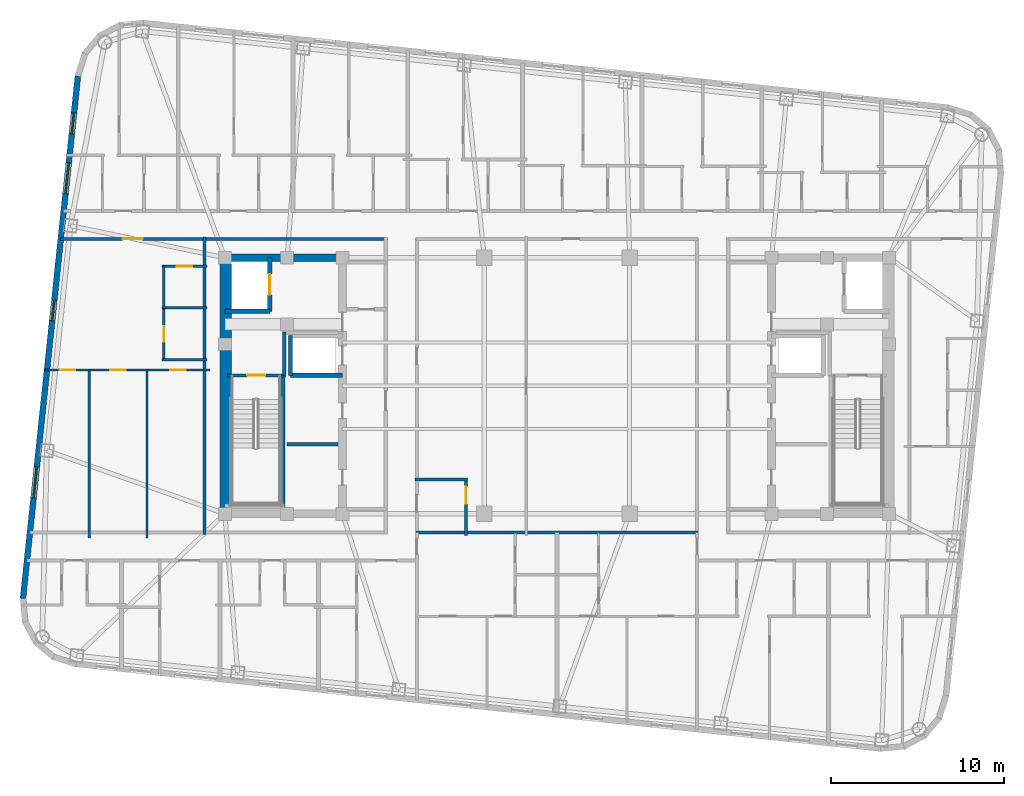
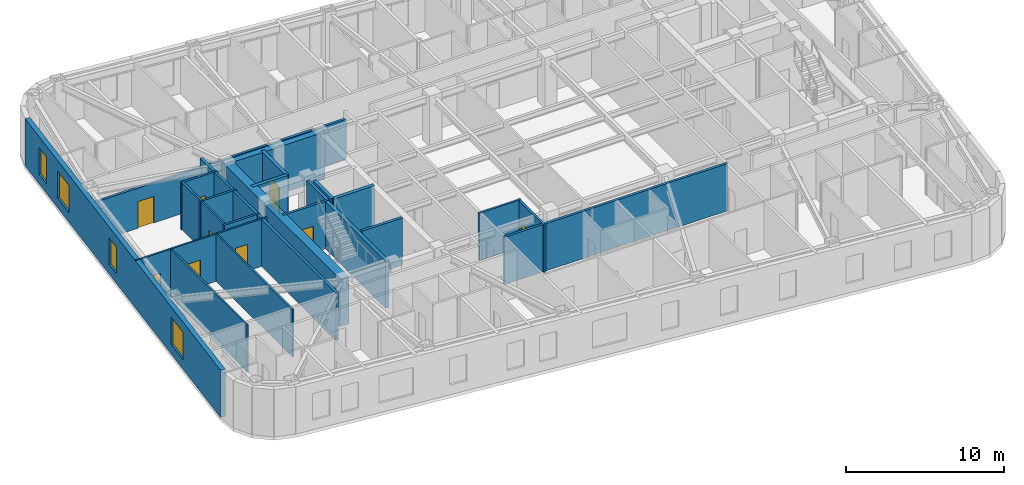
# One storey, part 4 of 11: 26 walls, 9 doors, 4 windows, 13 openings.
"""IFC4 building model written with IfcOpenShell, lengths in metres."""

from ifc_helpers import new_model, si_unit, direction, frame, frame_2d, origin, place, context, subcontext, project, spatial, rectangle, extrude, material, layer, layer_set, type_object, element, fill, save


model = new_model("IFC4")

# Units and contexts
model_context = context("Model", 3, precision=1e-05, world=origin(), true_north=direction((0.0, 1.0)))
body_context = subcontext(model_context, "Body", "Model", "MODEL_VIEW")
ifc_project = project(units=[si_unit("LENGTHUNIT", "METRE"), si_unit("AREAUNIT", "SQUARE_METRE"), si_unit("VOLUMEUNIT", "CUBIC_METRE"), si_unit("PLANEANGLEUNIT", "RADIAN"), si_unit("MASSUNIT", "GRAM", prefix="KILO")], contexts=[model_context])

# Site, building, storey
site_placement = place(None, origin())
site = spatial("IfcSite", under=ifc_project, at=site_placement, CompositionType="ELEMENT")
building_placement = place(site_placement, origin())
building = spatial("IfcBuilding", under=site, at=building_placement, Name="Voryun Gate Residences", CompositionType="ELEMENT")
storey_placement = place(building_placement, frame((0.0, 0.0, 271.699951171875)))
storey = spatial("IfcBuildingStorey", under=building, at=storey_placement, Name="L67", CompositionType="ELEMENT", Elevation=271.699951171875)

# Walls
ifc_material_1 = material(Name="Concrete C50/60", Category="concrete")
ifc_layer_1 = layer(ifc_material_1, 0.449951171875, Name="CW_CORE_450")
ifc_layer_set_1 = layer_set([ifc_layer_1], Name="Concrete C50/60")
wall_type_1 = type_object("IfcWallType", Name="CW_CORE_450", PredefinedType="SHEAR", material=ifc_layer_set_1)
wall_1_placement = place(storey_placement, frame((-19.425048828125, 7.39990234375, 0.0), z_axis=(0.0, 0.0, 1.0), x_axis=(1.0, 0.0, 0.0)))
element("IfcWall", 1, at=wall_1_placement, inside=storey, type_object=wall_type_1, Name="L67 Core shear wall CW-L67-WN", PredefinedType="SHEAR", context=body_context, shape_type="SweptSolid", body=[
    extrude(rectangle(XDim=7.25, YDim=0.449951171875, at=frame_2d((3.625, 0.0))), origin(), (0.0, 0.0, 1.0), 3.650146484375),
])
ifc_material_2 = material(Name="Concrete C60/75", Category="concrete")
ifc_layer_2 = layer(ifc_material_2, 0.64990234375, Name="CW_CORE_650")
ifc_layer_set_2 = layer_set([ifc_layer_2], Name="Concrete C60/75")
wall_type_2 = type_object("IfcWallType", Name="CW_CORE_650", PredefinedType="SHEAR", material=ifc_layer_set_2)
wall_2_placement = place(storey_placement, frame((-19.14501953125, -7.39990234375, 0.0), z_axis=(0.0, 0.0, 1.0), x_axis=(0.0, 1.0, 0.0)))
element("IfcWall", 2, at=wall_2_placement, inside=storey, type_object=wall_type_2, Name="L67 Core shear wall CW-L67-WW", PredefinedType="SHEAR", context=body_context, shape_type="SweptSolid", body=[
    extrude(rectangle(XDim=14.7998046875, YDim=0.64990234375, at=frame_2d((7.39990234375, 0.0))), origin(), (0.0, 0.0, 1.0), 3.650146484375),
])

# Wall, opening, door
ifc_material_3 = material(Name="Gypsum acoustic fireboard")
ifc_layer_3 = layer(ifc_material_3, 0.179931640625, Name="W_CORR_RATED_180")
ifc_layer_set_3 = layer_set([ifc_layer_3], Name="Gypsum acoustic fireboard")
wall_type_3 = type_object("IfcWallType", Name="W_CORR_RATED_180", PredefinedType="PARTITIONING", material=ifc_layer_set_3)
wall_3_placement = place(storey_placement, frame((-19.06005859375, 0.60009765625, 0.0), z_axis=(0.0, 0.0, 1.0), x_axis=(1.0, 0.0, 0.0)))
wall_3 = element("IfcWall", 3, at=wall_3_placement, inside=storey, type_object=wall_type_3, Name="Partition wall WP-L67-STV-W", PredefinedType="PARTITIONING", context=body_context, shape_type="SweptSolid", body=[
    extrude(rectangle(XDim=3.360107421875, YDim=0.179931640625, at=frame_2d((1.68017578125, 0.0))), origin(), (0.0, 0.0, 1.0), 3.650146484375),
])
opening_1_placement = place(wall_3_placement, frame((1.155029296875, 0.0, 0.0)))
opening_1 = element("IfcOpeningElement", 4, at=opening_1_placement, cuts=wall_3, Name="Opening D-FD60-1", PredefinedType="OPENING", context=body_context, shape_type="SweptSolid", body=[
    extrude(rectangle(XDim=1.050048828125, YDim=2.050048828125, at=frame_2d((0.52490234375, 1.02490234375))), frame((0.0, 0.099853515625, 0.0), z_axis=(0.0, -1.0, 0.0), x_axis=(1.0, 0.0, 0.0)), (0.0, 0.0, 1.0), 0.199951171875),
])
ifc_material_4 = material(Name="Painted steel fire door", Category="steel")
door_type_1 = type_object("IfcDoorType", Name="DR_FD60_STAIR_1050", OperationType="NOTDEFINED", PredefinedType="DOOR", material=ifc_material_4)
door_1_placement = place(opening_1_placement, origin())
door_1 = element("IfcDoor", 5, at=door_1_placement, inside=storey, type_object=door_type_1, Name="Door DR-L67-ST-W", OperationType="SINGLE_SWING_LEFT", OverallHeight=2.050048828125, OverallWidth=1.050048828125, PredefinedType="DOOR", context=body_context, shape_type="SweptSolid", body=[
    extrude(rectangle(XDim=1.050048828125, YDim=2.050048828125, at=frame_2d((0.52490234375, 1.02490234375))), frame((0.0, 0.02490234375, 0.0), z_axis=(0.0, -1.0, 0.0), x_axis=(1.0, 0.0, 0.0)), (0.0, 0.0, 1.0), 0.050048828125),
])
fill(opening_1, door_1)

wall_4_placement = place(storey_placement, frame((-28.685546875, 8.489990234375, 0.0), z_axis=(0.0, 0.0, 1.0), x_axis=(1.0, 0.0, 0.0)))
wall_4 = element("IfcWall", 6, at=wall_4_placement, inside=storey, type_object=wall_type_3, Name="Partition wall WP-L67-CWING-WN", PredefinedType="PARTITIONING", context=body_context, shape_type="SweptSolid", body=[
    extrude(rectangle(XDim=18.8056640625, YDim=0.179931640625, at=frame_2d((9.40283203125, 0.0))), origin(), (0.0, 0.0, 1.0), 3.090087890625),
])
opening_2_placement = place(wall_4_placement, frame((3.577392578125, 0.0, 0.0)))
opening_2 = element("IfcOpeningElement", 7, at=opening_2_placement, cuts=wall_4, Name="Opening D-UNIT-1", PredefinedType="OPENING", context=body_context, shape_type="SweptSolid", body=[
    extrude(rectangle(XDim=1.14990234375, YDim=2.050048828125, at=frame_2d((0.574951171875, 1.02490234375))), frame((0.0, 0.099853515625, 0.0), z_axis=(0.0, -1.0, 0.0), x_axis=(1.0, 0.0, 0.0)), (0.0, 0.0, 1.0), 0.199951171875),
])
ifc_material_5 = material(Name="Armoured timber-clad fire door", Category="wood")
door_type_2 = type_object("IfcDoorType", Name="DR_UNIT_ENTRY_1150", OperationType="NOTDEFINED", PredefinedType="DOOR", material=ifc_material_5)
door_2_placement = place(opening_2_placement, origin())
door_2 = element("IfcDoor", 8, at=door_2_placement, inside=storey, type_object=door_type_2, Name="Door DR-L67-WE1N", OperationType="SINGLE_SWING_LEFT", OverallHeight=2.050048828125, OverallWidth=1.14990234375, PredefinedType="DOOR", context=body_context, shape_type="SweptSolid", body=[
    extrude(rectangle(XDim=1.14990234375, YDim=2.050048828125, at=frame_2d((0.574951171875, 1.02490234375))), frame((0.0, 0.02490234375, 0.0), z_axis=(0.0, -1.0, 0.0), x_axis=(1.0, 0.0, 0.0)), (0.0, 0.0, 1.0), 0.050048828125),
])
fill(opening_2, door_2)

# Walls
wall_5_placement = place(storey_placement, frame((-8.14990234375, -8.489990234375, 0.0), z_axis=(0.0, 0.0, 1.0), x_axis=(1.0, 0.0, 0.0)))
element("IfcWall", 9, at=wall_5_placement, inside=storey, type_object=wall_type_3, Name="Partition wall WP-L67-Z3S", PredefinedType="PARTITIONING", context=body_context, shape_type="SweptSolid", body=[
    extrude(rectangle(XDim=16.2998046875, YDim=0.179931640625, at=frame_2d((8.14990234375, 0.0))), origin(), (0.0, 0.0, 1.0), 3.650146484375),
])
wall_6_placement = place(storey_placement, frame((-20.3701171875, -8.610107421875, 0.0), z_axis=(0.0, 0.0, 1.0), x_axis=(0.0, 1.0, 0.0)))
element("IfcWall", 10, at=wall_6_placement, inside=storey, type_object=wall_type_3, Name="Partition wall WP-L67-WCOR", PredefinedType="PARTITIONING", context=body_context, shape_type="SweptSolid", body=[
    extrude(rectangle(XDim=17.22021484375, YDim=0.179931640625, at=frame_2d((8.610107421875, 0.0))), origin(), (0.0, 0.0, 1.0), 3.650146484375),
])

# Wall, openings, windows
ifc_material_6 = material(Name="Charcoal terracotta masonry", Category="masonry")
ifc_layer_4 = layer(ifc_material_6, 0.340087890625, Name="W_EXT_TERRACOTTA_340")
ifc_layer_set_4 = layer_set([ifc_layer_4], Name="Charcoal terracotta masonry")
wall_type_4 = type_object("IfcWallType", Name="W_EXT_TERRACOTTA_340", PredefinedType="ELEMENTEDWALL", material=ifc_layer_set_4)
wall_7_placement = place(storey_placement, frame((-30.8701171875, -12.295654296875, 0.0), z_axis=(0.0, 0.0, 1.0), x_axis=(0.104533282919, 0.994521388791, 0.0)))
wall_7 = element("IfcWall", 11, at=wall_7_placement, inside=storey, type_object=wall_type_4, Name="Exterior wall WEXT-L67-06", PredefinedType="ELEMENTEDWALL", context=body_context, shape_type="SweptSolid", body=[
    extrude(rectangle(XDim=30.366455078125, YDim=0.340087890625, at=frame_2d((15.18310546875, 0.0))), origin(), (0.0, 0.0, 1.0), 3.650146484375),
])
opening_3_placement = place(wall_7_placement, frame((5.841552734375, 0.0, 0.75)))
opening_3 = element("IfcOpeningElement", 12, at=opening_3_placement, cuts=wall_7, Name="Opening WN1", PredefinedType="OPENING", context=body_context, shape_type="SweptSolid", body=[
    extrude(rectangle(XDim=1.800048828125, YDim=2.10009765625, at=frame_2d((0.89990234375, 1.050048828125))), frame((0.0, 0.179931640625, 0.0), z_axis=(0.0, -1.0, 0.0), x_axis=(1.0, 0.0, 0.0)), (0.0, 0.0, 1.0), 0.360107421875),
])
opening_4_placement = place(wall_7_placement, frame((23.52490234375, 0.0, 0.75)))
opening_4 = element("IfcOpeningElement", 13, at=opening_4_placement, cuts=wall_7, Name="Opening WN1", PredefinedType="OPENING", context=body_context, shape_type="SweptSolid", body=[
    extrude(rectangle(XDim=1.800048828125, YDim=2.10009765625, at=frame_2d((0.89990234375, 1.050048828125))), frame((0.0, 0.179931640625, 0.0), z_axis=(0.0, -1.0, 0.0), x_axis=(1.0, 0.0, 0.0)), (0.0, 0.0, 1.0), 0.360107421875),
])
opening_5_placement = place(wall_7_placement, frame((27.0166015625, 0.0, 0.75)))
opening_5 = element("IfcOpeningElement", 14, at=opening_5_placement, cuts=wall_7, Name="Opening WN6", PredefinedType="OPENING", context=body_context, shape_type="SweptSolid", body=[
    extrude(rectangle(XDim=1.199951171875, YDim=2.050048828125, at=frame_2d((0.60009765625, 1.02490234375))), frame((0.0, 0.179931640625, 0.0), z_axis=(0.0, -1.0, 0.0), x_axis=(1.0, 0.0, 0.0)), (0.0, 0.0, 1.0), 0.360107421875),
])
opening_6_placement = place(wall_7_placement, frame((16.134521484375, 0.0, 0.75)))
opening_6 = element("IfcOpeningElement", 15, at=opening_6_placement, cuts=wall_7, Name="Opening WN6", PredefinedType="OPENING", context=body_context, shape_type="SweptSolid", body=[
    extrude(rectangle(XDim=1.199951171875, YDim=2.050048828125, at=frame_2d((0.60009765625, 1.02490234375))), frame((0.0, 0.179931640625, 0.0), z_axis=(0.0, -1.0, 0.0), x_axis=(1.0, 0.0, 0.0)), (0.0, 0.0, 1.0), 0.360107421875),
])
ifc_material_7 = material(Name="Laminated low-E glass", Category="glass")
window_type_1 = type_object("IfcWindowType", Name="WN_POD_SLOT_1200", PartitioningType="SINGLE_PANEL", PredefinedType="WINDOW", material=ifc_material_7)
window_1_placement = place(opening_5_placement, origin())
window_1 = element("IfcWindow", 16, at=window_1_placement, inside=storey, type_object=window_type_1, Name="Window WN-L67-DWFIX-01", OverallHeight=2.050048828125, OverallWidth=1.199951171875, PartitioningType="SINGLE_PANEL", PredefinedType="WINDOW", context=body_context, shape_type="SweptSolid", body=[
    extrude(rectangle(XDim=1.199951171875, YDim=2.050048828125, at=frame_2d((0.60009765625, 1.02490234375))), frame((0.0, 0.030029296875, 0.0), z_axis=(0.0, -1.0, 0.0), x_axis=(1.0, 0.0, 0.0)), (0.0, 0.0, 1.0), 0.06005859375),
])
fill(opening_5, window_1)
window_2_placement = place(opening_6_placement, origin())
window_2 = element("IfcWindow", 17, at=window_2_placement, inside=storey, type_object=window_type_1, Name="Window WN-L67-DWFIX-27", OverallHeight=2.050048828125, OverallWidth=1.199951171875, PartitioningType="SINGLE_PANEL", PredefinedType="WINDOW", context=body_context, shape_type="SweptSolid", body=[
    extrude(rectangle(XDim=1.199951171875, YDim=2.050048828125, at=frame_2d((0.60009765625, 1.02490234375))), frame((0.0, 0.030029296875, 0.0), z_axis=(0.0, -1.0, 0.0), x_axis=(1.0, 0.0, 0.0)), (0.0, 0.0, 1.0), 0.06005859375),
])
fill(opening_6, window_2)
ifc_material_8 = material(Name="Laminated low-E glass", Category="glass")
window_type_2 = type_object("IfcWindowType", Name="WN_RES_PUNCH_1800", PartitioningType="SINGLE_PANEL", PredefinedType="WINDOW", material=ifc_material_8)
window_3_placement = place(opening_3_placement, origin())
window_3 = element("IfcWindow", 18, at=window_3_placement, inside=storey, type_object=window_type_2, Name="Window WN-WEXT-L67-06-01", OverallHeight=2.10009765625, OverallWidth=1.800048828125, PartitioningType="SINGLE_PANEL", PredefinedType="WINDOW", context=body_context, shape_type="SweptSolid", body=[
    extrude(rectangle(XDim=1.800048828125, YDim=2.10009765625, at=frame_2d((0.89990234375, 1.050048828125))), frame((0.0, 0.030029296875, 0.0), z_axis=(0.0, -1.0, 0.0), x_axis=(1.0, 0.0, 0.0)), (0.0, 0.0, 1.0), 0.06005859375),
])
fill(opening_3, window_3)
window_4_placement = place(opening_4_placement, origin())
window_4 = element("IfcWindow", 19, at=window_4_placement, inside=storey, type_object=window_type_2, Name="Window WN-WEXT-L67-06-02", OverallHeight=2.10009765625, OverallWidth=1.800048828125, PartitioningType="SINGLE_PANEL", PredefinedType="WINDOW", context=body_context, shape_type="SweptSolid", body=[
    extrude(rectangle(XDim=1.800048828125, YDim=2.10009765625, at=frame_2d((0.89990234375, 1.050048828125))), frame((0.0, 0.030029296875, 0.0), z_axis=(0.0, -1.0, 0.0), x_axis=(1.0, 0.0, 0.0)), (0.0, 0.0, 1.0), 0.06005859375),
])
fill(opening_4, window_4)

# Walls
ifc_material_9 = material(Name="Concrete C40/50", Category="concrete")
ifc_layer_5 = layer(ifc_material_9, 0.199951171875, Name="W_FF_LOBBY_200")
ifc_layer_set_5 = layer_set([ifc_layer_5], Name="Concrete C40/50")
wall_type_5 = type_object("IfcWallType", Name="W_FF_LOBBY_200", PredefinedType="PARTITIONING", material=ifc_layer_set_5)
wall_8_placement = place(storey_placement, frame((-15.760009765625, 0.580078125, 0.0), z_axis=(0.0, 0.0, 1.0), x_axis=(0.0, 1.0, 0.0)))
element("IfcWall", 20, at=wall_8_placement, inside=storey, type_object=wall_type_5, Name="Partition wall WP-L67-FFP0-W", PredefinedType="PARTITIONING", context=body_context, shape_type="SweptSolid", body=[
    extrude(rectangle(XDim=2.52001953125, YDim=0.199951171875, at=frame_2d((1.260009765625, 0.0))), origin(), (0.0, 0.0, 1.0), 3.650146484375),
])
wall_9_placement = place(storey_placement, frame((-15.60009765625, -3.389892578125, 0.0), z_axis=(0.0, 0.0, 1.0), x_axis=(1.0, 0.0, 0.0)))
element("IfcWall", 21, at=wall_9_placement, inside=storey, type_object=wall_type_5, Name="Partition wall WP-L67-RECEY-W", PredefinedType="PARTITIONING", context=body_context, shape_type="SweptSolid", body=[
    extrude(rectangle(XDim=2.940185546875, YDim=0.199951171875, at=frame_2d((1.47021484375, 0.0))), origin(), (0.0, 0.0, 1.0), 3.650146484375),
])
ifc_material_10 = material(Name="Concrete C50/60", Category="concrete")
ifc_layer_6 = layer(ifc_material_10, 0.25, Name="W_SHAFT_RC250")
ifc_layer_set_6 = layer_set([ifc_layer_6], Name="Concrete C50/60")
wall_type_6 = type_object("IfcWallType", Name="W_SHAFT_RC250", PredefinedType="SOLIDWALL", material=ifc_layer_set_6)
wall_10_placement = place(storey_placement, frame((-15.860107421875, -7.0849609375, 0.0), z_axis=(0.0, 0.0, 1.0), x_axis=(0.0, 1.0, 0.0)))
element("IfcWall", 22, at=wall_10_placement, inside=storey, type_object=wall_type_6, Name="L67 Stair shaft structural wall W-STR", PredefinedType="SOLIDWALL", context=body_context, shape_type="SweptSolid", body=[
    extrude(rectangle(XDim=7.68505859375, YDim=0.25, at=frame_2d((3.842529296875, 0.0))), origin(), (0.0, 0.0, 1.0), 3.650146484375),
])
wall_11_placement = place(storey_placement, frame((-19.199951171875, 4.300048828125, 0.0), z_axis=(0.0, 0.0, 1.0), x_axis=(1.0, 0.0, 0.0)))
element("IfcWall", 23, at=wall_11_placement, inside=storey, type_object=wall_type_6, Name="Lift shaft wall WSH-L67-EL-FF-W1-S", PredefinedType="SOLIDWALL", context=body_context, shape_type="SweptSolid", body=[
    extrude(rectangle(XDim=2.599853515625, YDim=0.25, at=frame_2d((1.2998046875, 0.0))), origin(), (0.0, 0.0, 1.0), 3.650146484375),
])

# Wall, opening, door
wall_12_placement = place(storey_placement, frame((-16.60009765625, 4.300048828125, 0.0), z_axis=(0.0, 0.0, 1.0), x_axis=(0.0, 1.0, 0.0)))
wall_12 = element("IfcWall", 24, at=wall_12_placement, inside=storey, type_object=wall_type_6, Name="Lift shaft wall WSH-L67-EL-FF-W1-E", PredefinedType="SOLIDWALL", context=body_context, shape_type="SweptSolid", body=[
    extrude(rectangle(XDim=3.099853515625, YDim=0.25, at=frame_2d((1.5498046875, 0.0))), origin(), (0.0, 0.0, 1.0), 3.650146484375),
])
opening_7_placement = place(wall_12_placement, frame((0.949951171875, 0.0, 0.0)))
opening_7 = element("IfcOpeningElement", 25, at=opening_7_placement, cuts=wall_12, Name="Opening LD1", PredefinedType="OPENING", context=body_context, shape_type="SweptSolid", body=[
    extrude(rectangle(XDim=1.199951171875, YDim=2.050048828125, at=frame_2d((0.60009765625, 1.02490234375))), frame((0.0, 0.135009765625, 0.0), z_axis=(0.0, -1.0, 0.0), x_axis=(1.0, 0.0, 0.0)), (0.0, 0.0, 1.0), 0.27001953125),
])
ifc_material_11 = material(Name="Anodised aluminium", Category="aluminium")
door_type_3 = type_object("IfcDoorType", Name="DR_LD_FF_1200", OperationType="NOTDEFINED", PredefinedType="DOOR", material=ifc_material_11)
door_3_placement = place(opening_7_placement, origin())
door_3 = element("IfcDoor", 26, at=door_3_placement, inside=storey, type_object=door_type_3, Name="Lift EL-FF-W1 sliding landing door L67", OperationType="SLIDING_TO_LEFT", OverallHeight=2.050048828125, OverallWidth=1.199951171875, PredefinedType="DOOR", context=body_context, shape_type="SweptSolid", body=[
    extrude(rectangle(XDim=1.199951171875, YDim=2.050048828125, at=frame_2d((0.60009765625, 1.02490234375))), frame((0.0, 0.02490234375, 0.0), z_axis=(0.0, -1.0, 0.0), x_axis=(1.0, 0.0, 0.0)), (0.0, 0.0, 1.0), 0.050048828125),
])
fill(opening_7, door_3)

# Walls
wall_13_placement = place(storey_placement, frame((-15.39990234375, 0.60009765625, 0.0), z_axis=(0.0, 0.0, 1.0), x_axis=(1.0, 0.0, 0.0)))
element("IfcWall", 27, at=wall_13_placement, inside=storey, type_object=wall_type_6, Name="Lift shaft wall WSH-L67-EL-P7-S", PredefinedType="SOLIDWALL", context=body_context, shape_type="SweptSolid", body=[
    extrude(rectangle(XDim=3.0, YDim=0.25, at=frame_2d((1.5, 0.0))), origin(), (0.0, 0.0, 1.0), 3.650146484375),
])
wall_14_placement = place(storey_placement, frame((-15.39990234375, 2.89990234375, 0.0), z_axis=(0.0, 0.0, 1.0), x_axis=(0.0, -1.0, 0.0)))
element("IfcWall", 28, at=wall_14_placement, inside=storey, type_object=wall_type_6, Name="Lift shaft wall WSH-L67-EL-P7-W", PredefinedType="SOLIDWALL", context=body_context, shape_type="SweptSolid", body=[
    extrude(rectangle(XDim=2.2998046875, YDim=0.25, at=frame_2d((1.14990234375, 0.0))), origin(), (0.0, 0.0, 1.0), 3.650146484375),
])

# Wall, opening, door
ifc_material_12 = material(Name="Gypsum acoustic partition")
ifc_layer_7 = layer(ifc_material_12, 0.125, Name="W_UNIT_PART_125")
ifc_layer_set_7 = layer_set([ifc_layer_7], Name="Gypsum acoustic partition")
wall_type_7 = type_object("IfcWallType", Name="W_UNIT_PART_125", PredefinedType="PARTITIONING", material=ifc_layer_set_7)
wall_15_placement = place(storey_placement, frame((-29.633056640625, 0.909912109375, 0.0), z_axis=(0.0, 0.0, 1.0), x_axis=(1.0, 0.0, 0.0)))
wall_15 = element("IfcWall", 29, at=wall_15_placement, inside=storey, type_object=wall_type_7, Name="Partition wall WP-L67-W1-HZMB1", PredefinedType="PARTITIONING", context=body_context, shape_type="SweptSolid", body=[
    extrude(rectangle(XDim=2.654541015625, YDim=0.125, at=frame_2d((1.3271484375, 0.0))), origin(), (0.0, 0.0, 1.0), 3.650146484375),
])
opening_8_placement = place(wall_15_placement, frame((0.885986328125, 0.0, 0.0)))
opening_8 = element("IfcOpeningElement", 30, at=opening_8_placement, cuts=wall_15, Name="Opening D-INT-2", PredefinedType="OPENING", context=body_context, shape_type="SweptSolid", body=[
    extrude(rectangle(XDim=0.89990234375, YDim=2.050048828125, at=frame_2d((0.449951171875, 1.02490234375))), frame((0.0, 0.072509765625, 0.0), z_axis=(0.0, -1.0, 0.0), x_axis=(1.0, 0.0, 0.0)), (0.0, 0.0, 1.0), 0.14501953125),
])
ifc_material_13 = material(Name="Architectural oak veneer")
door_type_4 = type_object("IfcDoorType", Name="DR_INT_BATH_900", OperationType="NOTDEFINED", PredefinedType="DOOR", material=ifc_material_13)
door_4_placement = place(opening_8_placement, origin())
door_4 = element("IfcDoor", 31, at=door_4_placement, inside=storey, type_object=door_type_4, Name="Door DR-L67-W1-DMB", OperationType="SINGLE_SWING_LEFT", OverallHeight=2.050048828125, OverallWidth=0.89990234375, PredefinedType="DOOR", context=body_context, shape_type="SweptSolid", body=[
    extrude(rectangle(XDim=0.89990234375, YDim=2.050048828125, at=frame_2d((0.449951171875, 1.02490234375))), frame((0.0, 0.02490234375, 0.0), z_axis=(0.0, -1.0, 0.0), x_axis=(1.0, 0.0, 0.0)), (0.0, 0.0, 1.0), 0.050048828125),
])
fill(opening_8, door_4)

wall_16_placement = place(storey_placement, frame((-27.103515625, 0.909912109375, 0.0), z_axis=(0.0, 0.0, 1.0), x_axis=(1.0, 0.0, 0.0)))
wall_16 = element("IfcWall", 32, at=wall_16_placement, inside=storey, type_object=wall_type_7, Name="Partition wall WP-L67-W1-HZMB2", PredefinedType="PARTITIONING", context=body_context, shape_type="SweptSolid", body=[
    extrude(rectangle(XDim=3.4609375, YDim=0.125, at=frame_2d((1.73046875, 0.0))), origin(), (0.0, 0.0, 1.0), 3.650146484375),
])
opening_9_placement = place(wall_16_placement, frame((1.280517578125, 0.0, 0.0)))
opening_9 = element("IfcOpeningElement", 33, at=opening_9_placement, cuts=wall_16, Name="Opening D-INT-2", PredefinedType="OPENING", context=body_context, shape_type="SweptSolid", body=[
    extrude(rectangle(XDim=0.89990234375, YDim=2.050048828125, at=frame_2d((0.449951171875, 1.02490234375))), frame((0.0, 0.072509765625, 0.0), z_axis=(0.0, -1.0, 0.0), x_axis=(1.0, 0.0, 0.0)), (0.0, 0.0, 1.0), 0.14501953125),
])
door_5_placement = place(opening_9_placement, origin())
door_5 = element("IfcDoor", 34, at=door_5_placement, inside=storey, type_object=door_type_4, Name="Door DR-L67-W1-DBD2", OperationType="SINGLE_SWING_RIGHT", OverallHeight=2.050048828125, OverallWidth=0.89990234375, PredefinedType="DOOR", context=body_context, shape_type="SweptSolid", body=[
    extrude(rectangle(XDim=0.89990234375, YDim=2.050048828125, at=frame_2d((0.449951171875, 1.02490234375))), frame((0.0, 0.02490234375, 0.0), z_axis=(0.0, -1.0, 0.0), x_axis=(1.0, 0.0, 0.0)), (0.0, 0.0, 1.0), 0.050048828125),
])
fill(opening_9, door_5)

wall_17_placement = place(storey_placement, frame((-23.767578125, 0.909912109375, 0.0), z_axis=(0.0, 0.0, 1.0), x_axis=(1.0, 0.0, 0.0)))
wall_17 = element("IfcWall", 35, at=wall_17_placement, inside=storey, type_object=wall_type_7, Name="Partition wall WP-L67-W1-HZMB3", PredefinedType="PARTITIONING", context=body_context, shape_type="SweptSolid", body=[
    extrude(rectangle(XDim=3.717529296875, YDim=0.125, at=frame_2d((1.85888671875, 0.0))), origin(), (0.0, 0.0, 1.0), 3.650146484375),
])
opening_10_placement = place(wall_17_placement, frame((1.39990234375, 0.0, 0.0)))
opening_10 = element("IfcOpeningElement", 36, at=opening_10_placement, cuts=wall_17, Name="Opening D-INT-2", PredefinedType="OPENING", context=body_context, shape_type="SweptSolid", body=[
    extrude(rectangle(XDim=0.89990234375, YDim=2.050048828125, at=frame_2d((0.449951171875, 1.02490234375))), frame((0.0, 0.072509765625, 0.0), z_axis=(0.0, -1.0, 0.0), x_axis=(1.0, 0.0, 0.0)), (0.0, 0.0, 1.0), 0.14501953125),
])
door_6_placement = place(opening_10_placement, origin())
door_6 = element("IfcDoor", 37, at=door_6_placement, inside=storey, type_object=door_type_4, Name="Door DR-L67-W1-DBD3", OperationType="SINGLE_SWING_LEFT", OverallHeight=2.050048828125, OverallWidth=0.89990234375, PredefinedType="DOOR", context=body_context, shape_type="SweptSolid", body=[
    extrude(rectangle(XDim=0.89990234375, YDim=2.050048828125, at=frame_2d((0.449951171875, 1.02490234375))), frame((0.0, 0.02490234375, 0.0), z_axis=(0.0, -1.0, 0.0), x_axis=(1.0, 0.0, 0.0)), (0.0, 0.0, 1.0), 0.050048828125),
])
fill(opening_10, door_6)

# Walls
for number, where, z_axis, x_axis, name in (
    (38, (-23.705078125, -8.81005859375, 0.0), (0.0, 0.0, 1.0), (0.0, 1.0, 0.0), "Partition wall WP-L67-W1-VMB2"),
    (39, (-27.041015625, -8.81005859375, 0.0), (0.0, 0.0, 1.0), (0.0, 1.0, 0.0), "Partition wall WP-L67-W1-VMB"),
):
    element("IfcWall", number, at=place(storey_placement, frame(where, z_axis=z_axis, x_axis=x_axis)), inside=storey, type_object=wall_type_7, Name=name, PredefinedType="PARTITIONING", context=body_context, shape_type="SweptSolid", body=[
        extrude(rectangle(XDim=9.780029296875, YDim=0.125, at=frame_2d((4.89013671875, 0.0))), origin(), (0.0, 0.0, 1.0), 3.650146484375),
    ])

# Wall, opening, door
ifc_material_14 = material(Name="Gypsum moisture-resistant partition")
ifc_layer_8 = layer(ifc_material_14, 0.14990234375, Name="W_WET_PLUMB_150")
ifc_layer_set_8 = layer_set([ifc_layer_8], Name="Gypsum moisture-resistant partition")
wall_type_8 = type_object("IfcWallType", Name="W_WET_PLUMB_150", PredefinedType="PLUMBINGWALL", material=ifc_layer_set_8)
wall_18_placement = place(storey_placement, frame((-5.260009765625, -8.669921875, 0.0), z_axis=(0.0, 0.0, 1.0), x_axis=(0.0, 1.0, 0.0)))
wall_18 = element("IfcWall", 40, at=wall_18_placement, inside=storey, type_object=wall_type_8, Name="Partition wall WP-L67-CMWCX", PredefinedType="PLUMBINGWALL", context=body_context, shape_type="SweptSolid", body=[
    extrude(rectangle(XDim=3.349853515625, YDim=0.14990234375, at=frame_2d((1.6748046875, 0.0))), origin(), (0.0, 0.0, 1.0), 3.650146484375),
])
opening_11_placement = place(wall_18_placement, frame((1.8349609375, 0.0, 0.0)))
opening_11 = element("IfcOpeningElement", 41, at=opening_11_placement, cuts=wall_18, Name="Opening D-AWC-1", PredefinedType="OPENING", context=body_context, shape_type="SweptSolid", body=[
    extrude(rectangle(XDim=1.0, YDim=2.050048828125, at=frame_2d((0.5, 1.02490234375))), frame((0.0, 0.0849609375, 0.0), z_axis=(0.0, -1.0, 0.0), x_axis=(1.0, 0.0, 0.0)), (0.0, 0.0, 1.0), 0.169921875),
])
ifc_material_15 = material(Name="Architectural oak veneer")
door_type_5 = type_object("IfcDoorType", Name="DR_ACC_WC_1000", OperationType="NOTDEFINED", PredefinedType="DOOR", material=ifc_material_15)
door_7_placement = place(opening_11_placement, origin())
door_7 = element("IfcDoor", 42, at=door_7_placement, inside=storey, type_object=door_type_5, Name="Door DR-L67-CMWC", OperationType="SINGLE_SWING_LEFT", OverallHeight=2.050048828125, OverallWidth=1.0, PredefinedType="DOOR", context=body_context, shape_type="SweptSolid", body=[
    extrude(rectangle(XDim=1.0, YDim=2.050048828125, at=frame_2d((0.5, 1.02490234375))), frame((0.0, 0.02490234375, 0.0), z_axis=(0.0, -1.0, 0.0), x_axis=(1.0, 0.0, 0.0)), (0.0, 0.0, 1.0), 0.050048828125),
])
fill(opening_11, door_7)

# Wall
wall_19_placement = place(storey_placement, frame((-8.2099609375, -5.419921875, 0.0), z_axis=(0.0, 0.0, 1.0), x_axis=(1.0, 0.0, 0.0)))
element("IfcWall", 43, at=wall_19_placement, inside=storey, type_object=wall_type_8, Name="Partition wall WP-L67-CMWCY", PredefinedType="PLUMBINGWALL", context=body_context, shape_type="SweptSolid", body=[
    extrude(rectangle(XDim=3.050048828125, YDim=0.14990234375, at=frame_2d((1.52490234375, 0.0))), origin(), (0.0, 0.0, 1.0), 3.650146484375),
])

# Wall, opening, door
wall_20_placement = place(storey_placement, frame((-22.840087890625, 6.89990234375, 0.0), z_axis=(0.0, 0.0, 1.0), x_axis=(1.0, 0.0, 0.0)))
wall_20 = element("IfcWall", 44, at=wall_20_placement, inside=storey, type_object=wall_type_8, Name="Partition wall WP-L67-W1-IBT", PredefinedType="PLUMBINGWALL", context=body_context, shape_type="SweptSolid", body=[
    extrude(rectangle(XDim=2.6201171875, YDim=0.14990234375, at=frame_2d((1.31005859375, 0.0))), origin(), (0.0, 0.0, 1.0), 3.650146484375),
])
opening_12_placement = place(wall_20_placement, frame((0.860107421875, 0.0, 0.0)))
opening_12 = element("IfcOpeningElement", 45, at=opening_12_placement, cuts=wall_20, Name="Opening D-INT-2", PredefinedType="OPENING", context=body_context, shape_type="SweptSolid", body=[
    extrude(rectangle(XDim=0.89990234375, YDim=2.050048828125, at=frame_2d((0.449951171875, 1.02490234375))), frame((0.0, 0.0849609375, 0.0), z_axis=(0.0, -1.0, 0.0), x_axis=(1.0, 0.0, 0.0)), (0.0, 0.0, 1.0), 0.169921875),
])
door_8_placement = place(opening_12_placement, origin())
door_8 = element("IfcDoor", 46, at=door_8_placement, inside=storey, type_object=door_type_4, Name="Door DR-L67-W1-DK", OperationType="SINGLE_SWING_LEFT", OverallHeight=2.050048828125, OverallWidth=0.89990234375, PredefinedType="DOOR", context=body_context, shape_type="SweptSolid", body=[
    extrude(rectangle(XDim=0.89990234375, YDim=2.050048828125, at=frame_2d((0.449951171875, 1.02490234375))), frame((0.0, 0.02490234375, 0.0), z_axis=(0.0, -1.0, 0.0), x_axis=(1.0, 0.0, 0.0)), (0.0, 0.0, 1.0), 0.050048828125),
])
fill(opening_12, door_8)

# Walls
for number, where, z_axis, x_axis, name in (
    (47, (-22.840087890625, 4.52001953125, 0.0), (0.0, 0.0, 1.0), (1.0, 0.0, 0.0), "Partition wall WP-L67-W1-IKB"),
    (48, (-22.840087890625, 1.5, 0.0), (0.0, 0.0, 1.0), (1.0, 0.0, 0.0), "Partition wall WP-L67-W1-IBB"),
):
    element("IfcWall", number, at=place(storey_placement, frame(where, z_axis=z_axis, x_axis=x_axis)), inside=storey, type_object=wall_type_8, Name=name, PredefinedType="PLUMBINGWALL", context=body_context, shape_type="SweptSolid", body=[
        extrude(rectangle(XDim=2.6201171875, YDim=0.14990234375, at=frame_2d((1.31005859375, 0.0))), origin(), (0.0, 0.0, 1.0), 3.650146484375),
    ])

# Wall, opening, door
wall_21_placement = place(storey_placement, frame((-22.719970703125, 1.43994140625, 0.0), z_axis=(0.0, 0.0, 1.0), x_axis=(0.0, 1.0, 0.0)))
wall_21 = element("IfcWall", 49, at=wall_21_placement, inside=storey, type_object=wall_type_8, Name="Partition wall WP-L67-W1-VTSK1", PredefinedType="PLUMBINGWALL", context=body_context, shape_type="SweptSolid", body=[
    extrude(rectangle(XDim=3.1201171875, YDim=0.14990234375, at=frame_2d((1.56005859375, 0.0))), origin(), (0.0, 0.0, 1.0), 3.650146484375),
])
opening_13_placement = place(wall_21_placement, frame((1.110107421875, 0.0, 0.0)))
opening_13 = element("IfcOpeningElement", 50, at=opening_13_placement, cuts=wall_21, Name="Opening D-INT-2", PredefinedType="OPENING", context=body_context, shape_type="SweptSolid", body=[
    extrude(rectangle(XDim=0.89990234375, YDim=2.050048828125, at=frame_2d((0.449951171875, 1.02490234375))), frame((0.0, 0.0849609375, 0.0), z_axis=(0.0, -1.0, 0.0), x_axis=(1.0, 0.0, 0.0)), (0.0, 0.0, 1.0), 0.169921875),
])
door_9_placement = place(opening_13_placement, origin())
door_9 = element("IfcDoor", 51, at=door_9_placement, inside=storey, type_object=door_type_4, Name="Door DR-L67-W1-DB", OperationType="SINGLE_SWING_RIGHT", OverallHeight=2.050048828125, OverallWidth=0.89990234375, PredefinedType="DOOR", context=body_context, shape_type="SweptSolid", body=[
    extrude(rectangle(XDim=0.89990234375, YDim=2.050048828125, at=frame_2d((0.449951171875, 1.02490234375))), frame((0.0, 0.02490234375, 0.0), z_axis=(0.0, -1.0, 0.0), x_axis=(1.0, 0.0, 0.0)), (0.0, 0.0, 1.0), 0.050048828125),
])
fill(opening_13, door_9)

# Wall
wall_22_placement = place(storey_placement, frame((-22.719970703125, 4.47998046875, 0.0), z_axis=(0.0, 0.0, 1.0), x_axis=(0.0, 1.0, 0.0)))
element("IfcWall", 52, at=wall_22_placement, inside=storey, type_object=wall_type_8, Name="Partition wall WP-L67-W1-VTSK2", PredefinedType="PLUMBINGWALL", context=body_context, shape_type="SweptSolid", body=[
    extrude(rectangle(XDim=2.47998046875, YDim=0.14990234375, at=frame_2d((1.239990234375, 0.0))), origin(), (0.0, 0.0, 1.0), 3.650146484375),
])

save(model, "model.ifc")
